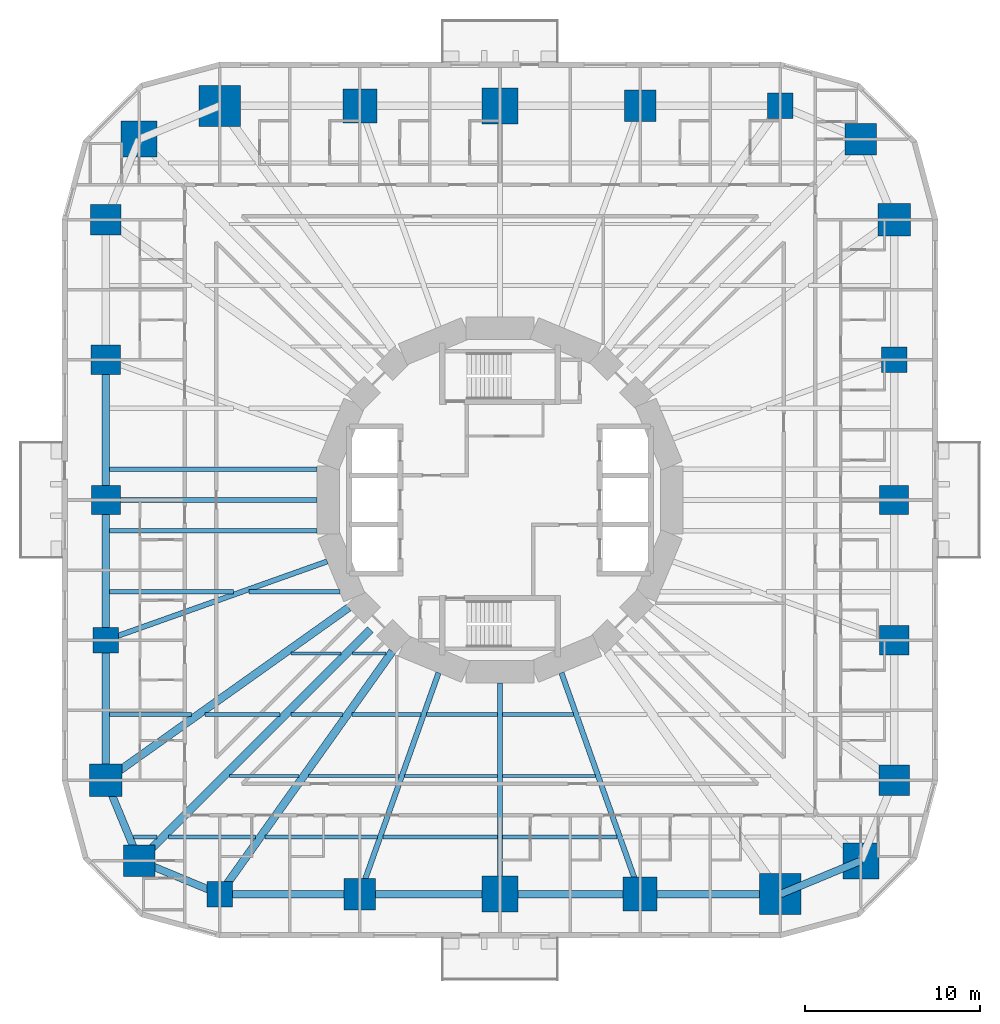
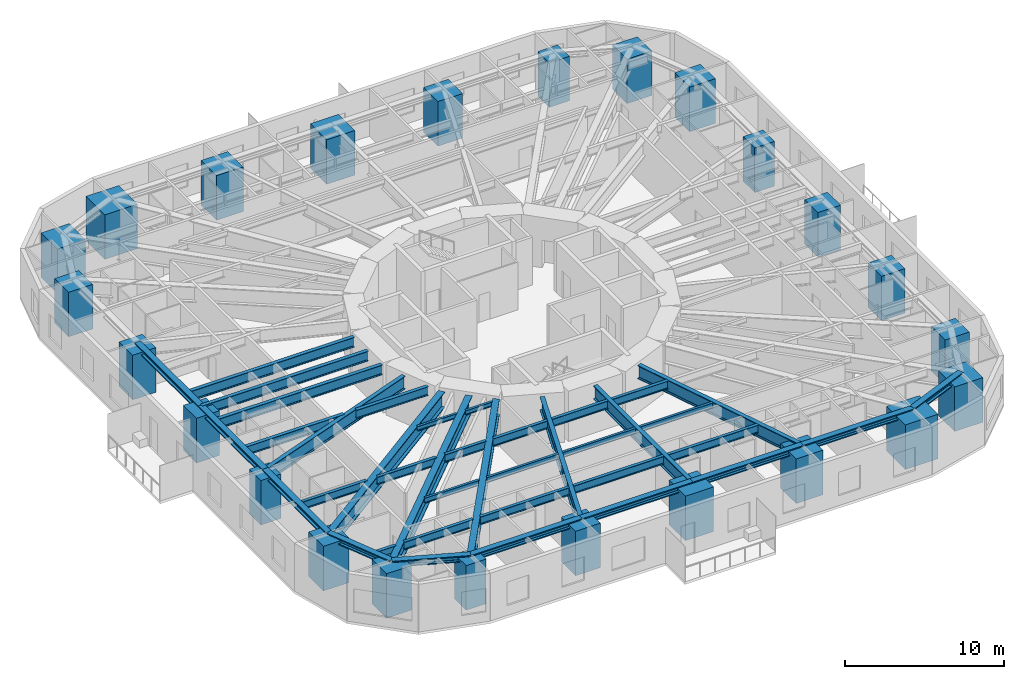
# One storey, part 1 of 14: 29 beams, 24 columns, 10 members.
"""IFC4 building model written with IfcOpenShell, lengths in metres."""

from ifc_helpers import new_model, si_unit, direction, frame, origin, origin_2d, place, context, subcontext, project, spatial, rectangle, i_section, extrude, material, material_profile, profile_set, type_object, element, save


model = new_model("IFC4")

# Units and contexts
model_context = context("Model", 3, precision=1e-05, world=origin(), true_north=direction((0.0, 1.0)))
body_context = subcontext(model_context, "Body", "Model", "MODEL_VIEW")
ifc_project = project(units=[si_unit("LENGTHUNIT", "METRE"), si_unit("AREAUNIT", "SQUARE_METRE"), si_unit("VOLUMEUNIT", "CUBIC_METRE"), si_unit("PLANEANGLEUNIT", "RADIAN"), si_unit("MASSUNIT", "GRAM", prefix="KILO")], contexts=[model_context])

# Site, building, storey
site_placement = place(None, origin())
site = spatial("IfcSite", under=ifc_project, at=site_placement, CompositionType="ELEMENT")
building_placement = place(site_placement, origin())
building = spatial("IfcBuilding", under=site, at=building_placement, Name="Nakasero Lantern House", CompositionType="ELEMENT")
storey_placement = place(building_placement, frame((0.0, 0.0, 50.64990234375)))
storey = spatial("IfcBuildingStorey", under=building, at=storey_placement, Name="L12", CompositionType="ELEMENT", Elevation=50.64990234375)

# Columns
ifc_material_1 = material(Name="Concrete C50/60", Category="concrete")
ifc_material_profile_1 = material_profile(ifc_material_1, rectangle(XDim=1.800048828125, YDim=1.800048828125, at=origin_2d()), Name="RC 1800x1800")
ifc_profile_set_1 = profile_set([ifc_material_profile_1], Name="Concrete C50/60")
column_type_1 = type_object("IfcColumnType", Name="Mega column RC 1800x1800 C50/60", PredefinedType="COLUMN", material=ifc_profile_set_1)
for number, where, z_axis, x_axis, name in (
    (1, (20.59619140625, 20.59619140625, 0.0), (0.0, 0.0, 1.0), (1.0, 0.0, 0.0), "Column B1-C06 L12"),
    (2, (-20.59619140625, -20.59619140625, 0.0), (0.0, 0.0, 1.0), (1.0, 0.0, 0.0), "Column B1-C18 L12"),
):
    element("IfcColumn", number, at=place(storey_placement, frame(where, z_axis=z_axis, x_axis=x_axis)), inside=storey, type_object=column_type_1, Name=name, PredefinedType="COLUMN", context=body_context, shape_type="SweptSolid", body=[
        extrude(rectangle(XDim=1.800048828125, YDim=1.800048828125, at=origin_2d()), origin(), (0.0, 0.0, 1.0), 3.412841796875),
    ])
ifc_material_2 = material(Name="Concrete C50/60", Category="concrete")
ifc_material_profile_2 = material_profile(ifc_material_2, rectangle(XDim=2.050048828125, YDim=2.050048828125, at=origin_2d()), Name="RC 2050x2050")
ifc_profile_set_2 = profile_set([ifc_material_profile_2], Name="Concrete C50/60")
column_type_2 = type_object("IfcColumnType", Name="Mega column RC 2050x2050 C50/60", PredefinedType="COLUMN", material=ifc_profile_set_2)
for number, where, z_axis, x_axis, name in (
    (3, (-20.59619140625, 20.59619140625, 0.0), (0.0, 0.0, 1.0), (1.0, 0.0, 0.0), "Column B1-C12 L12"),
    (4, (20.59619140625, -20.59619140625, 0.0), (0.0, 0.0, 1.0), (1.0, 0.0, 0.0), "Column B1-C24 L12"),
):
    element("IfcColumn", number, at=place(storey_placement, frame(where, z_axis=z_axis, x_axis=x_axis)), inside=storey, type_object=column_type_2, Name=name, PredefinedType="COLUMN", context=body_context, shape_type="SweptSolid", body=[
        extrude(rectangle(XDim=2.050048828125, YDim=2.050048828125, at=origin_2d()), origin(), (0.0, 0.0, 1.0), 3.412841796875),
    ])
ifc_material_3 = material(Name="Concrete C50/60", Category="concrete")
ifc_material_profile_3 = material_profile(ifc_material_3, rectangle(XDim=1.449951171875, YDim=1.449951171875, at=origin_2d()), Name="RC 1450x1450")
ifc_profile_set_3 = profile_set([ifc_material_profile_3], Name="Concrete C50/60")
column_type_3 = type_object("IfcColumnType", Name="Ring column RC 1450x1450 C50/60", PredefinedType="COLUMN", material=ifc_profile_set_3)
for number, where, z_axis, x_axis, name in (
    (5, (22.5, 8.0, 0.0), (0.0, 0.0, 1.0), (1.0, 0.0, 0.0), "Column B1-C04 L12"),
    (6, (16.0, 22.5, 0.0), (0.0, 0.0, 1.0), (1.0, 0.0, 0.0), "Column B1-C07 L12"),
    (7, (-22.5, -8.0, 0.0), (0.0, 0.0, 1.0), (1.0, 0.0, 0.0), "Column B1-C16 L12"),
    (8, (-16.0, -22.5, 0.0), (0.0, 0.0, 1.0), (1.0, 0.0, 0.0), "Column B1-C19 L12"),
):
    element("IfcColumn", number, at=place(storey_placement, frame(where, z_axis=z_axis, x_axis=x_axis)), inside=storey, type_object=column_type_3, Name=name, PredefinedType="COLUMN", context=body_context, shape_type="SweptSolid", body=[
        extrude(rectangle(XDim=1.449951171875, YDim=1.449951171875, at=origin_2d()), origin(), (0.0, 0.0, 1.0), 3.412841796875),
    ])
ifc_material_4 = material(Name="Concrete C50/60", Category="concrete")
ifc_material_profile_4 = material_profile(ifc_material_4, rectangle(XDim=1.64990234375, YDim=1.64990234375, at=origin_2d()), Name="RC 1650x1650")
ifc_profile_set_4 = profile_set([ifc_material_profile_4], Name="Concrete C50/60")
column_type_4 = type_object("IfcColumnType", Name="Ring column RC 1650x1650 C50/60", PredefinedType="COLUMN", material=ifc_profile_set_4)
for number, where, z_axis, x_axis, name in (
    (9, (22.5, 0.0, 0.0), (0.0, 0.0, 1.0), (1.0, 0.0, 0.0), "Column B1-C03 L12"),
    (10, (-22.5, 0.0, 0.0), (0.0, 0.0, 1.0), (1.0, 0.0, 0.0), "Column B1-C15 L12"),
):
    element("IfcColumn", number, at=place(storey_placement, frame(where, z_axis=z_axis, x_axis=x_axis)), inside=storey, type_object=column_type_4, Name=name, PredefinedType="COLUMN", context=body_context, shape_type="SweptSolid", body=[
        extrude(rectangle(XDim=1.64990234375, YDim=1.64990234375, at=origin_2d()), origin(), (0.0, 0.0, 1.0), 3.412841796875),
    ])
ifc_material_5 = material(Name="Concrete C50/60", Category="concrete")
ifc_material_profile_5 = material_profile(ifc_material_5, rectangle(XDim=1.699951171875, YDim=1.699951171875, at=origin_2d()), Name="RC 1700x1700")
ifc_profile_set_5 = profile_set([ifc_material_profile_5], Name="Concrete C50/60")
column_type_5 = type_object("IfcColumnType", Name="Ring column RC 1700x1700 C50/60", PredefinedType="COLUMN", material=ifc_profile_set_5)
for number, where, z_axis, x_axis, name in (
    (11, (22.5, -8.0, 0.0), (0.0, 0.0, 1.0), (1.0, 0.0, 0.0), "Column B1-C02 L12"),
    (12, (-22.5, 8.0, 0.0), (0.0, 0.0, 1.0), (1.0, 0.0, 0.0), "Column B1-C14 L12"),
):
    element("IfcColumn", number, at=place(storey_placement, frame(where, z_axis=z_axis, x_axis=x_axis)), inside=storey, type_object=column_type_5, Name=name, PredefinedType="COLUMN", context=body_context, shape_type="SweptSolid", body=[
        extrude(rectangle(XDim=1.699951171875, YDim=1.699951171875, at=origin_2d()), origin(), (0.0, 0.0, 1.0), 3.412841796875),
    ])
ifc_material_6 = material(Name="Concrete C50/60", Category="concrete")
ifc_material_profile_6 = material_profile(ifc_material_6, rectangle(XDim=1.75, YDim=1.75, at=origin_2d()), Name="RC 1750x1750")
ifc_profile_set_6 = profile_set([ifc_material_profile_6], Name="Concrete C50/60")
column_type_6 = type_object("IfcColumnType", Name="Ring column RC 1750x1750 C50/60", PredefinedType="COLUMN", material=ifc_profile_set_6)
for number, where, z_axis, x_axis, name in (
    (13, (22.5, -16.0, 0.0), (0.0, 0.0, 1.0), (1.0, 0.0, 0.0), "Column B1-C01 L12"),
    (14, (-22.5, 16.0, 0.0), (0.0, 0.0, 1.0), (1.0, 0.0, 0.0), "Column B1-C13 L12"),
):
    element("IfcColumn", number, at=place(storey_placement, frame(where, z_axis=z_axis, x_axis=x_axis)), inside=storey, type_object=column_type_6, Name=name, PredefinedType="COLUMN", context=body_context, shape_type="SweptSolid", body=[
        extrude(rectangle(XDim=1.75, YDim=1.75, at=origin_2d()), origin(), (0.0, 0.0, 1.0), 3.412841796875),
    ])
ifc_material_7 = material(Name="Concrete C50/60", Category="concrete")
ifc_material_profile_7 = material_profile(ifc_material_7, rectangle(XDim=1.800048828125, YDim=1.800048828125, at=origin_2d()), Name="RC 1800x1800")
ifc_profile_set_7 = profile_set([ifc_material_profile_7], Name="Concrete C50/60")
column_type_7 = type_object("IfcColumnType", Name="Ring column RC 1800x1800 C50/60", PredefinedType="COLUMN", material=ifc_profile_set_7)
for number, where, z_axis, x_axis, name in (
    (15, (8.0, 22.5, 0.0), (0.0, 0.0, 1.0), (1.0, 0.0, 0.0), "Column B1-C08 L12"),
    (16, (-8.0, -22.5, 0.0), (0.0, 0.0, 1.0), (1.0, 0.0, 0.0), "Column B1-C20 L12"),
):
    element("IfcColumn", number, at=place(storey_placement, frame(where, z_axis=z_axis, x_axis=x_axis)), inside=storey, type_object=column_type_7, Name=name, PredefinedType="COLUMN", context=body_context, shape_type="SweptSolid", body=[
        extrude(rectangle(XDim=1.800048828125, YDim=1.800048828125, at=origin_2d()), origin(), (0.0, 0.0, 1.0), 3.412841796875),
    ])
ifc_material_8 = material(Name="Concrete C50/60", Category="concrete")
ifc_material_profile_8 = material_profile(ifc_material_8, rectangle(XDim=1.85009765625, YDim=1.85009765625, at=origin_2d()), Name="RC 1850x1850")
ifc_profile_set_8 = profile_set([ifc_material_profile_8], Name="Concrete C50/60")
column_type_8 = type_object("IfcColumnType", Name="Ring column RC 1850x1850 C50/60", PredefinedType="COLUMN", material=ifc_profile_set_8)
for number, where, z_axis, x_axis, name in (
    (17, (22.5, 16.0, 0.0), (0.0, 0.0, 1.0), (1.0, 0.0, 0.0), "Column B1-C05 L12"),
    (18, (-22.5, -16.0, 0.0), (0.0, 0.0, 1.0), (1.0, 0.0, 0.0), "Column B1-C17 L12"),
):
    element("IfcColumn", number, at=place(storey_placement, frame(where, z_axis=z_axis, x_axis=x_axis)), inside=storey, type_object=column_type_8, Name=name, PredefinedType="COLUMN", context=body_context, shape_type="SweptSolid", body=[
        extrude(rectangle(XDim=1.85009765625, YDim=1.85009765625, at=origin_2d()), origin(), (0.0, 0.0, 1.0), 3.412841796875),
    ])
ifc_material_9 = material(Name="Concrete C50/60", Category="concrete")
ifc_material_profile_9 = material_profile(ifc_material_9, rectangle(XDim=1.949951171875, YDim=1.949951171875, at=origin_2d()), Name="RC 1950x1950")
ifc_profile_set_9 = profile_set([ifc_material_profile_9], Name="Concrete C50/60")
column_type_9 = type_object("IfcColumnType", Name="Ring column RC 1950x1950 C50/60", PredefinedType="COLUMN", material=ifc_profile_set_9)
for number, where, z_axis, x_axis, name in (
    (19, (-8.0, 22.5, 0.0), (0.0, 0.0, 1.0), (1.0, 0.0, 0.0), "Column B1-C10 L12"),
    (20, (8.0, -22.5, 0.0), (0.0, 0.0, 1.0), (1.0, 0.0, 0.0), "Column B1-C22 L12"),
):
    element("IfcColumn", number, at=place(storey_placement, frame(where, z_axis=z_axis, x_axis=x_axis)), inside=storey, type_object=column_type_9, Name=name, PredefinedType="COLUMN", context=body_context, shape_type="SweptSolid", body=[
        extrude(rectangle(XDim=1.949951171875, YDim=1.949951171875, at=origin_2d()), origin(), (0.0, 0.0, 1.0), 3.412841796875),
    ])
ifc_material_10 = material(Name="Concrete C50/60", Category="concrete")
ifc_material_profile_10 = material_profile(ifc_material_10, rectangle(XDim=2.050048828125, YDim=2.050048828125, at=origin_2d()), Name="RC 2050x2050")
ifc_profile_set_10 = profile_set([ifc_material_profile_10], Name="Concrete C50/60")
column_type_10 = type_object("IfcColumnType", Name="Ring column RC 2050x2050 C50/60", PredefinedType="COLUMN", material=ifc_profile_set_10)
for number, where, z_axis, x_axis, name in (
    (21, (0.0, 22.5, 0.0), (0.0, 0.0, 1.0), (1.0, 0.0, 0.0), "Column B1-C09 L12"),
    (22, (0.0, -22.5, 0.0), (0.0, 0.0, 1.0), (1.0, 0.0, 0.0), "Column B1-C21 L12"),
):
    element("IfcColumn", number, at=place(storey_placement, frame(where, z_axis=z_axis, x_axis=x_axis)), inside=storey, type_object=column_type_10, Name=name, PredefinedType="COLUMN", context=body_context, shape_type="SweptSolid", body=[
        extrude(rectangle(XDim=2.050048828125, YDim=2.050048828125, at=origin_2d()), origin(), (0.0, 0.0, 1.0), 3.412841796875),
    ])
ifc_material_11 = material(Name="Concrete C50/60", Category="concrete")
ifc_material_profile_11 = material_profile(ifc_material_11, rectangle(XDim=2.35009765625, YDim=2.35009765625, at=origin_2d()), Name="RC 2350x2350")
ifc_profile_set_11 = profile_set([ifc_material_profile_11], Name="Concrete C50/60")
column_type_11 = type_object("IfcColumnType", Name="Ring column RC 2350x2350 C50/60", PredefinedType="COLUMN", material=ifc_profile_set_11)
for number, where, z_axis, x_axis, name in (
    (23, (-16.0, 22.5, 0.0), (0.0, 0.0, 1.0), (1.0, 0.0, 0.0), "Column B1-C11 L12"),
    (24, (16.0, -22.5, 0.0), (0.0, 0.0, 1.0), (1.0, 0.0, 0.0), "Column B1-C23 L12"),
):
    element("IfcColumn", number, at=place(storey_placement, frame(where, z_axis=z_axis, x_axis=x_axis)), inside=storey, type_object=column_type_11, Name=name, PredefinedType="COLUMN", context=body_context, shape_type="SweptSolid", body=[
        extrude(rectangle(XDim=2.35009765625, YDim=2.35009765625, at=origin_2d()), origin(), (0.0, 0.0, 1.0), 3.412841796875),
    ])

# Members
ifc_material_12 = material(Name="Steel S355", Category="steel")
ifc_material_profile_12 = material_profile(ifc_material_12, i_section(OverallWidth=0.424072265625, OverallDepth=0.474609375, WebThickness=0.047607421875, FlangeThickness=0.076904296875, FilletRadius=0.01513671875, at=origin_2d()), Name="UC 356x406x634")
ifc_profile_set_12 = profile_set([ifc_material_profile_12], Name="Steel S355")
member_type = type_object("IfcMemberType", Name="Belt truss chord UC 356x406x634", PredefinedType="CHORD", material=ifc_profile_set_12)
for number, where, z_axis, x_axis, name in (
    (25, (-22.5, 8.0, 3.412841796875), (0.0, -1.0, 0.0), (1.0, 0.0, 0.0), "Belt truss bottom chord T1 B1-C14"),
    (26, (-22.5, 0.0, 3.412841796875), (0.0, -1.0, 0.0), (1.0, 0.0, 0.0), "Belt truss bottom chord T1 B1-C15"),
    (27, (-22.5, -8.0, 3.412841796875), (0.0, -1.0, 0.0), (1.0, 0.0, 0.0), "Belt truss bottom chord T1 B1-C16"),
):
    element("IfcMember", number, at=place(storey_placement, frame(where, z_axis=z_axis, x_axis=x_axis)), inside=storey, type_object=member_type, Name=name, PredefinedType="CHORD", context=body_context, shape_type="SweptSolid", body=[
        extrude(i_section(OverallWidth=0.424072265625, OverallDepth=0.474609375, WebThickness=0.047607421875, FlangeThickness=0.076904296875, FilletRadius=0.01513671875, at=origin_2d()), origin(), (0.0, 0.0, 1.0), 8.0),
    ])
for number, where, z_axis, x_axis, name in (
    (28, (-22.5, -16.0, 3.412841796875), (0.382684080569, -0.923879264016, 0.0), (0.923879264016, 0.382684080569, 0.0), "Belt truss bottom chord T1 B1-C17"),
    (29, (-20.59619140625, -20.59619140625, 3.412841796875), (0.923879264016, -0.382684080569, 0.0), (0.382684080569, 0.923879264016, 0.0), "Belt truss bottom chord T1 B1-C18"),
):
    element("IfcMember", number, at=place(storey_placement, frame(where, z_axis=z_axis, x_axis=x_axis)), inside=storey, type_object=member_type, Name=name, PredefinedType="CHORD", context=body_context, shape_type="SweptSolid", body=[
        extrude(i_section(OverallWidth=0.424072265625, OverallDepth=0.474609375, WebThickness=0.047607421875, FlangeThickness=0.076904296875, FilletRadius=0.01513671875, at=origin_2d()), origin(), (0.0, 0.0, 1.0), 4.974853515625),
    ])
for number, where, z_axis, x_axis, name in (
    (30, (-16.0, -22.5, 3.412841796875), (1.0, 0.0, 0.0), (0.0, 1.0, 0.0), "Belt truss bottom chord T1 B1-C19"),
    (31, (-8.0, -22.5, 3.412841796875), (1.0, 0.0, 0.0), (0.0, 1.0, 0.0), "Belt truss bottom chord T1 B1-C20"),
    (32, (0.0, -22.5, 3.412841796875), (1.0, 0.0, 0.0), (0.0, 1.0, 0.0), "Belt truss bottom chord T1 B1-C21"),
    (33, (8.0, -22.5, 3.412841796875), (1.0, 0.0, 0.0), (0.0, 1.0, 0.0), "Belt truss bottom chord T1 B1-C22"),
):
    element("IfcMember", number, at=place(storey_placement, frame(where, z_axis=z_axis, x_axis=x_axis)), inside=storey, type_object=member_type, Name=name, PredefinedType="CHORD", context=body_context, shape_type="SweptSolid", body=[
        extrude(i_section(OverallWidth=0.424072265625, OverallDepth=0.474609375, WebThickness=0.047607421875, FlangeThickness=0.076904296875, FilletRadius=0.01513671875, at=origin_2d()), origin(), (0.0, 0.0, 1.0), 8.0),
    ])
member_placement = place(storey_placement, frame((16.0, -22.5, 3.412841796875), z_axis=(0.923879264016, 0.382684080569, 0.0), x_axis=(-0.382684080569, 0.923879264016, 0.0)))
element("IfcMember", 34, at=member_placement, inside=storey, type_object=member_type, Name="Belt truss bottom chord T1 B1-C23", PredefinedType="CHORD", context=body_context, shape_type="SweptSolid", body=[
    extrude(i_section(OverallWidth=0.424072265625, OverallDepth=0.474609375, WebThickness=0.047607421875, FlangeThickness=0.076904296875, FilletRadius=0.01513671875, at=origin_2d()), origin(), (0.0, 0.0, 1.0), 4.974853515625),
])

# Beams
ifc_material_13 = material(Name="Steel S355", Category="steel")
ifc_material_profile_13 = material_profile(ifc_material_13, i_section(OverallWidth=0.17138671875, OverallDepth=0.35498046875, WebThickness=0.00732421875, FlangeThickness=0.011474609375, FilletRadius=0.01025390625, at=origin_2d()), Name="UB 356x171x51")
ifc_profile_set_13 = profile_set([ifc_material_profile_13], Name="Steel S355")
beam_type_1 = type_object("IfcBeamType", Name="Infill beam UB 356x171x51", PredefinedType="JOIST", material=ifc_profile_set_13)
beam_1_placement = place(storey_placement, frame((-11.91650390625, -8.75, 3.47265625), z_axis=(1.0, 0.0, 0.0), x_axis=(0.0, 1.0, 0.0)))
element("IfcBeam", 35, at=beam_1_placement, inside=storey, type_object=beam_type_1, Name="Infill beam L13 05.1", PredefinedType="JOIST", context=body_context, shape_type="SweptSolid", body=[
    extrude(i_section(OverallWidth=0.17138671875, OverallDepth=0.35498046875, WebThickness=0.00732421875, FlangeThickness=0.011474609375, FilletRadius=0.01025390625, at=origin_2d()), origin(), (0.0, 0.0, 1.0), 2.848388671875),
])
beam_2_placement = place(storey_placement, frame((-8.431884765625, -8.75, 3.47265625), z_axis=(1.0, 0.0, 0.0), x_axis=(0.0, 1.0, 0.0)))
element("IfcBeam", 36, at=beam_2_placement, inside=storey, type_object=beam_type_1, Name="Infill beam L13 05.2", PredefinedType="JOIST", context=body_context, shape_type="SweptSolid", body=[
    extrude(i_section(OverallWidth=0.17138671875, OverallDepth=0.35498046875, WebThickness=0.00732421875, FlangeThickness=0.011474609375, FilletRadius=0.01025390625, at=origin_2d()), origin(), (0.0, 0.0, 1.0), 1.93359375),
])
ifc_material_14 = material(Name="Steel S355", Category="steel")
ifc_material_profile_14 = material_profile(ifc_material_14, i_section(OverallWidth=0.177978515625, OverallDepth=0.406494140625, WebThickness=0.0078125, FlangeThickness=0.0126953125, FilletRadius=0.01025390625, at=origin_2d()), Name="UB 406x178x60")
ifc_profile_set_14 = profile_set([ifc_material_profile_14], Name="Steel S355")
beam_type_2 = type_object("IfcBeamType", Name="Infill beam UB 406x178x60", PredefinedType="JOIST", material=ifc_profile_set_14)
beam_3_placement = place(storey_placement, frame((-15.431884765625, -15.75, 3.44677734375), z_axis=(1.0, 0.0, 0.0), x_axis=(0.0, 1.0, 0.0)))
element("IfcBeam", 37, at=beam_3_placement, inside=storey, type_object=beam_type_2, Name="Infill beam L13 03.1", PredefinedType="JOIST", context=body_context, shape_type="SweptSolid", body=[
    extrude(i_section(OverallWidth=0.177978515625, OverallDepth=0.406494140625, WebThickness=0.0078125, FlangeThickness=0.0126953125, FilletRadius=0.01025390625, at=origin_2d()), origin(), (0.0, 0.0, 1.0), 3.955810546875),
])
beam_4_placement = place(storey_placement, frame((-10.923828125, -15.75, 3.44677734375), z_axis=(1.0, 0.0, 0.0), x_axis=(0.0, 1.0, 0.0)))
element("IfcBeam", 38, at=beam_4_placement, inside=storey, type_object=beam_type_2, Name="Infill beam L13 03.2", PredefinedType="JOIST", context=body_context, shape_type="SweptSolid", body=[
    extrude(i_section(OverallWidth=0.177978515625, OverallDepth=0.406494140625, WebThickness=0.0078125, FlangeThickness=0.0126953125, FilletRadius=0.01025390625, at=origin_2d()), origin(), (0.0, 0.0, 1.0), 5.161865234375),
])
for number, where, z_axis, x_axis, name in (
    (39, (-5.43798828125, -15.75, 3.44677734375), (1.0, 0.0, 0.0), (0.0, 1.0, 0.0), "Infill beam L13 03.3"),
    (40, (0.152587890625, -15.75, 3.44677734375), (1.0, 0.0, 0.0), (0.0, 1.0, 0.0), "Infill beam L13 03.4"),
):
    element("IfcBeam", number, at=place(storey_placement, frame(where, z_axis=z_axis, x_axis=x_axis)), inside=storey, type_object=beam_type_2, Name=name, PredefinedType="JOIST", context=body_context, shape_type="SweptSolid", body=[
        extrude(i_section(OverallWidth=0.177978515625, OverallDepth=0.406494140625, WebThickness=0.0078125, FlangeThickness=0.0126953125, FilletRadius=0.01025390625, at=origin_2d()), origin(), (0.0, 0.0, 1.0), 5.285400390625),
    ])
ifc_material_15 = material(Name="Steel S355", Category="steel")
ifc_material_profile_15 = material_profile(ifc_material_15, i_section(OverallWidth=0.22900390625, OverallDepth=0.6123046875, WebThickness=0.011962890625, FlangeThickness=0.01953125, FilletRadius=0.0126953125, at=origin_2d()), Name="UB 610x229x125")
ifc_profile_set_15 = profile_set([ifc_material_profile_15], Name="Steel S355")
beam_type_3 = type_object("IfcBeamType", Name="Infill beam UB 610x229x125", PredefinedType="JOIST", material=ifc_profile_set_15)
beam_5_placement = place(storey_placement, frame((-20.92431640625, -19.25, 3.2939453125), z_axis=(1.0, 0.0, 0.0), x_axis=(0.0, 1.0, 0.0)))
element("IfcBeam", 41, at=beam_5_placement, inside=storey, type_object=beam_type_3, Name="Infill beam L13 02.1", PredefinedType="JOIST", context=body_context, shape_type="SweptSolid", body=[
    extrude(i_section(OverallWidth=0.22900390625, OverallDepth=0.6123046875, WebThickness=0.011962890625, FlangeThickness=0.01953125, FilletRadius=0.0126953125, at=origin_2d()), origin(), (0.0, 0.0, 1.0), 1.356201171875),
])
beam_6_placement = place(storey_placement, frame((-18.931884765625, -19.25, 3.343994140625), z_axis=(1.0, 0.0, 0.0), x_axis=(0.0, 1.0, 0.0)))
element("IfcBeam", 42, at=beam_6_placement, inside=storey, type_object=beam_type_3, Name="Infill beam L13 02.2", PredefinedType="JOIST", context=body_context, shape_type="SweptSolid", body=[
    extrude(i_section(OverallWidth=0.22900390625, OverallDepth=0.6123046875, WebThickness=0.011962890625, FlangeThickness=0.01953125, FilletRadius=0.0126953125, at=origin_2d()), origin(), (0.0, 0.0, 1.0), 4.966796875),
])
beam_7_placement = place(storey_placement, frame((-13.412841796875, -19.25, 3.343994140625), z_axis=(1.0, 0.0, 0.0), x_axis=(0.0, 1.0, 0.0)))
element("IfcBeam", 43, at=beam_7_placement, inside=storey, type_object=beam_type_3, Name="Infill beam L13 02.3", PredefinedType="JOIST", context=body_context, shape_type="SweptSolid", body=[
    extrude(i_section(OverallWidth=0.22900390625, OverallDepth=0.6123046875, WebThickness=0.011962890625, FlangeThickness=0.01953125, FilletRadius=0.0126953125, at=origin_2d()), origin(), (0.0, 0.0, 1.0), 6.40625),
])
for number, where, z_axis, x_axis, name in (
    (44, (-6.682373046875, -19.25, 3.343994140625), (1.0, 0.0, 0.0), (0.0, 1.0, 0.0), "Infill beam L13 02.4"),
    (45, (0.152587890625, -19.25, 3.343994140625), (1.0, 0.0, 0.0), (0.0, 1.0, 0.0), "Infill beam L13 02.5"),
):
    element("IfcBeam", number, at=place(storey_placement, frame(where, z_axis=z_axis, x_axis=x_axis)), inside=storey, type_object=beam_type_3, Name=name, PredefinedType="JOIST", context=body_context, shape_type="SweptSolid", body=[
        extrude(i_section(OverallWidth=0.22900390625, OverallDepth=0.6123046875, WebThickness=0.011962890625, FlangeThickness=0.01953125, FilletRadius=0.0126953125, at=origin_2d()), origin(), (0.0, 0.0, 1.0), 6.52978515625),
    ])
beam_8_placement = place(storey_placement, frame((-22.2880859375, -12.25, 3.343994140625), z_axis=(1.0, 0.0, 0.0), x_axis=(0.0, 1.0, 0.0)))
element("IfcBeam", 46, at=beam_8_placement, inside=storey, type_object=beam_type_3, Name="Infill beam L13 04.1", PredefinedType="JOIST", context=body_context, shape_type="SweptSolid", body=[
    extrude(i_section(OverallWidth=0.22900390625, OverallDepth=0.6123046875, WebThickness=0.011962890625, FlangeThickness=0.01953125, FilletRadius=0.0126953125, at=origin_2d()), origin(), (0.0, 0.0, 1.0), 4.67333984375),
])
beam_9_placement = place(storey_placement, frame((-16.83837890625, -12.25, 3.343994140625), z_axis=(1.0, 0.0, 0.0), x_axis=(0.0, 1.0, 0.0)))
element("IfcBeam", 47, at=beam_9_placement, inside=storey, type_object=beam_type_3, Name="Infill beam L13 04.2", PredefinedType="JOIST", context=body_context, shape_type="SweptSolid", body=[
    extrude(i_section(OverallWidth=0.22900390625, OverallDepth=0.6123046875, WebThickness=0.011962890625, FlangeThickness=0.01953125, FilletRadius=0.0126953125, at=origin_2d()), origin(), (0.0, 0.0, 1.0), 4.270263671875),
])
beam_10_placement = place(storey_placement, frame((-11.931884765625, -12.25, 3.343994140625), z_axis=(1.0, 0.0, 0.0), x_axis=(0.0, 1.0, 0.0)))
element("IfcBeam", 48, at=beam_10_placement, inside=storey, type_object=beam_type_3, Name="Infill beam L13 04.3", PredefinedType="JOIST", context=body_context, shape_type="SweptSolid", body=[
    extrude(i_section(OverallWidth=0.22900390625, OverallDepth=0.6123046875, WebThickness=0.011962890625, FlangeThickness=0.01953125, FilletRadius=0.0126953125, at=origin_2d()), origin(), (0.0, 0.0, 1.0), 2.944580078125),
])
beam_11_placement = place(storey_placement, frame((-8.43505859375, -12.25, 3.343994140625), z_axis=(1.0, 0.0, 0.0), x_axis=(0.0, 1.0, 0.0)))
element("IfcBeam", 49, at=beam_11_placement, inside=storey, type_object=beam_type_3, Name="Infill beam L13 04.4", PredefinedType="JOIST", context=body_context, shape_type="SweptSolid", body=[
    extrude(i_section(OverallWidth=0.22900390625, OverallDepth=0.6123046875, WebThickness=0.011962890625, FlangeThickness=0.01953125, FilletRadius=0.0126953125, at=origin_2d()), origin(), (0.0, 0.0, 1.0), 3.91748046875),
])
for number, where, z_axis, x_axis, name in (
    (50, (-4.193603515625, -12.25, 3.343994140625), (1.0, 0.0, 0.0), (0.0, 1.0, 0.0), "Infill beam L13 04.5"),
    (51, (0.152587890625, -12.25, 3.343994140625), (1.0, 0.0, 0.0), (0.0, 1.0, 0.0), "Infill beam L13 04.6"),
):
    element("IfcBeam", number, at=place(storey_placement, frame(where, z_axis=z_axis, x_axis=x_axis)), inside=storey, type_object=beam_type_3, Name=name, PredefinedType="JOIST", context=body_context, shape_type="SweptSolid", body=[
        extrude(i_section(OverallWidth=0.22900390625, OverallDepth=0.6123046875, WebThickness=0.011962890625, FlangeThickness=0.01953125, FilletRadius=0.0126953125, at=origin_2d()), origin(), (0.0, 0.0, 1.0), 4.041015625),
    ])
ifc_material_16 = material(Name="Steel S355", Category="steel")
ifc_material_profile_16 = material_profile(ifc_material_16, i_section(OverallWidth=0.253662109375, OverallDepth=0.68359375, WebThickness=0.012451171875, FlangeThickness=0.01904296875, FilletRadius=0.01513671875, at=origin_2d()), Name="UB 686x254x140")
ifc_profile_set_16 = profile_set([ifc_material_profile_16], Name="Steel S355")
beam_type_4 = type_object("IfcBeamType", Name="Infill beam UB 686x254x140", PredefinedType="JOIST", material=ifc_profile_set_16)
beam_12_placement = place(storey_placement, frame((-22.2880859375, -5.25, 3.308349609375), z_axis=(1.0, 0.0, 0.0), x_axis=(0.0, 1.0, 0.0)))
element("IfcBeam", 52, at=beam_12_placement, inside=storey, type_object=beam_type_4, Name="Infill beam L13 06.1", PredefinedType="JOIST", context=body_context, shape_type="SweptSolid", body=[
    extrude(i_section(OverallWidth=0.253662109375, OverallDepth=0.68359375, WebThickness=0.012451171875, FlangeThickness=0.01904296875, FilletRadius=0.01513671875, at=origin_2d()), origin(), (0.0, 0.0, 1.0), 7.07470703125),
])
beam_13_placement = place(storey_placement, frame((-14.31787109375, -5.25, 3.308349609375), z_axis=(1.0, 0.0, 0.0), x_axis=(0.0, 1.0, 0.0)))
element("IfcBeam", 53, at=beam_13_placement, inside=storey, type_object=beam_type_4, Name="Infill beam L13 06.2", PredefinedType="JOIST", context=body_context, shape_type="SweptSolid", body=[
    extrude(i_section(OverallWidth=0.253662109375, OverallDepth=0.68359375, WebThickness=0.012451171875, FlangeThickness=0.01904296875, FilletRadius=0.01513671875, at=origin_2d()), origin(), (0.0, 0.0, 1.0), 5.173095703125),
])
ifc_material_17 = material(Name="Steel S355", Category="steel")
ifc_material_profile_17 = material_profile(ifc_material_17, i_section(OverallWidth=0.2666015625, OverallDepth=0.76220703125, WebThickness=0.014404296875, FlangeThickness=0.021484375, FilletRadius=0.0166015625, at=origin_2d()), Name="UB 762x267x173")
ifc_profile_set_17 = profile_set([ifc_material_profile_17], Name="Steel S355")
beam_type_5 = type_object("IfcBeamType", Name="Infill beam UB 762x267x173", PredefinedType="JOIST", material=ifc_profile_set_17)
for number, where, z_axis, x_axis, name in (
    (54, (-22.2880859375, -1.75, 3.26904296875), (1.0, 0.0, 0.0), (0.0, 1.0, 0.0), "Infill beam L13 07.1"),
    (55, (-22.2880859375, 1.75, 3.26904296875), (1.0, 0.0, 0.0), (0.0, 1.0, 0.0), "Infill beam L13 08.1"),
):
    element("IfcBeam", number, at=place(storey_placement, frame(where, z_axis=z_axis, x_axis=x_axis)), inside=storey, type_object=beam_type_5, Name=name, PredefinedType="JOIST", context=body_context, shape_type="SweptSolid", body=[
        extrude(i_section(OverallWidth=0.2666015625, OverallDepth=0.76220703125, WebThickness=0.014404296875, FlangeThickness=0.021484375, FilletRadius=0.0166015625, at=origin_2d()), origin(), (0.0, 0.0, 1.0), 11.830322265625),
    ])
ifc_material_18 = material(Name="Steel S355", Category="steel")
ifc_material_profile_18 = material_profile(ifc_material_18, i_section(OverallWidth=0.449951171875, OverallDepth=1.199951171875, WebThickness=0.02490234375, FlangeThickness=0.06005859375, at=origin_2d()), Name="PG 1200x450x636")
ifc_profile_set_18 = profile_set([ifc_material_profile_18], Name="Steel S355")
beam_type_6 = type_object("IfcBeamType", Name="Primary beam PG 1200x450x636, span over 15 m", PredefinedType="BEAM", material=ifc_profile_set_18)
beam_14_placement = place(storey_placement, frame((-22.5, -16.0, 3.0), z_axis=(0.814952159915, 0.579528236629, 0.0), x_axis=(-0.579528236629, 0.814952159915, 0.0)))
element("IfcBeam", 56, at=beam_14_placement, inside=storey, type_object=beam_type_6, Name="Primary beam L13 B1-C17", PredefinedType="BEAM", context=body_context, shape_type="SweptSolid", body=[
    extrude(i_section(OverallWidth=0.449951171875, OverallDepth=1.199951171875, WebThickness=0.02490234375, FlangeThickness=0.06005859375, at=origin_2d()), origin(), (0.0, 0.0, 1.0), 17.003173828125),
])
beam_15_placement = place(storey_placement, frame((-20.59619140625, -20.59619140625, 3.0), z_axis=(0.707106781187, 0.707106781187, 0.0), x_axis=(-0.707106781187, 0.707106781187, 0.0)))
element("IfcBeam", 57, at=beam_15_placement, inside=storey, type_object=beam_type_6, Name="Primary beam L13 B1-C18", PredefinedType="BEAM", context=body_context, shape_type="SweptSolid", body=[
    extrude(i_section(OverallWidth=0.449951171875, OverallDepth=1.199951171875, WebThickness=0.02490234375, FlangeThickness=0.06005859375, at=origin_2d()), origin(), (0.0, 0.0, 1.0), 18.669677734375),
])
beam_16_placement = place(storey_placement, frame((-16.0, -22.5, 3.050048828125), z_axis=(0.579528236629, 0.814952159915, 0.0), x_axis=(-0.814952159915, 0.579528236629, 0.0)))
element("IfcBeam", 58, at=beam_16_placement, inside=storey, type_object=beam_type_6, Name="Primary beam L13 B1-C19", PredefinedType="BEAM", context=body_context, shape_type="SweptSolid", body=[
    extrude(i_section(OverallWidth=0.449951171875, OverallDepth=1.199951171875, WebThickness=0.02490234375, FlangeThickness=0.06005859375, at=origin_2d()), origin(), (0.0, 0.0, 1.0), 17.003173828125),
])
ifc_material_19 = material(Name="Steel S355", Category="steel")
ifc_material_profile_19 = material_profile(ifc_material_19, i_section(OverallWidth=0.300048828125, OverallDepth=1.0, WebThickness=0.01904296875, FlangeThickness=0.035888671875, FilletRadius=0.030029296875, at=origin_2d()), Name="UB 1016x305x314")
ifc_profile_set_19 = profile_set([ifc_material_profile_19], Name="Steel S355")
beam_type_7 = type_object("IfcBeamType", Name="Primary beam UB 1016x305x314, span 12 to 15 m", PredefinedType="BEAM", material=ifc_profile_set_19)
beam_17_placement = place(storey_placement, frame((-22.5, -8.0, 3.150146484375), z_axis=(0.942214307118, 0.335010745293, 0.0), x_axis=(-0.335010745293, 0.942214307118, 0.0)))
element("IfcBeam", 59, at=beam_17_placement, inside=storey, type_object=beam_type_7, Name="Primary beam L13 B1-C16", PredefinedType="BEAM", context=body_context, shape_type="SweptSolid", body=[
    extrude(i_section(OverallWidth=0.300048828125, OverallDepth=1.0, WebThickness=0.01904296875, FlangeThickness=0.035888671875, FilletRadius=0.030029296875, at=origin_2d()), origin(), (0.0, 0.0, 1.0), 13.408447265625),
])
ifc_material_20 = material(Name="Steel S355", Category="steel")
ifc_material_profile_20 = material_profile(ifc_material_20, i_section(OverallWidth=0.305419921875, OverallDepth=1.026123046875, WebThickness=0.02685546875, FlangeThickness=0.049072265625, FilletRadius=0.030029296875, at=origin_2d()), Name="UB 1016x305x437")
ifc_profile_set_20 = profile_set([ifc_material_profile_20], Name="Steel S355")
beam_type_8 = type_object("IfcBeamType", Name="Primary beam UB 1016x305x437, span 12 to 15 m", PredefinedType="BEAM", material=ifc_profile_set_20)
beam_18_placement = place(storey_placement, frame((-8.0, -22.5, 3.136962890625), z_axis=(0.335010745293, 0.942214307118, 0.0), x_axis=(-0.942214307118, 0.335010745293, 0.0)))
element("IfcBeam", 60, at=beam_18_placement, inside=storey, type_object=beam_type_8, Name="Primary beam L13 B1-C20", PredefinedType="BEAM", context=body_context, shape_type="SweptSolid", body=[
    extrude(i_section(OverallWidth=0.305419921875, OverallDepth=1.026123046875, WebThickness=0.02685546875, FlangeThickness=0.049072265625, FilletRadius=0.030029296875, at=origin_2d()), origin(), (0.0, 0.0, 1.0), 13.408447265625),
])
beam_19_placement = place(storey_placement, frame((0.0, -22.5, 3.136962890625), z_axis=(0.0, 1.0, 0.0), x_axis=(-1.0, 0.0, 0.0)))
element("IfcBeam", 61, at=beam_19_placement, inside=storey, type_object=beam_type_8, Name="Primary beam L13 B1-C21", PredefinedType="BEAM", context=body_context, shape_type="SweptSolid", body=[
    extrude(i_section(OverallWidth=0.305419921875, OverallDepth=1.026123046875, WebThickness=0.02685546875, FlangeThickness=0.049072265625, FilletRadius=0.030029296875, at=origin_2d()), origin(), (0.0, 0.0, 1.0), 12.042236328125),
])
beam_20_placement = place(storey_placement, frame((8.0, -22.5, 3.136962890625), z_axis=(-0.335010745293, 0.942214307118, 0.0), x_axis=(-0.942214307118, -0.335010745293, 0.0)))
element("IfcBeam", 62, at=beam_20_placement, inside=storey, type_object=beam_type_8, Name="Primary beam L13 B1-C22", PredefinedType="BEAM", context=body_context, shape_type="SweptSolid", body=[
    extrude(i_section(OverallWidth=0.305419921875, OverallDepth=1.026123046875, WebThickness=0.02685546875, FlangeThickness=0.049072265625, FilletRadius=0.030029296875, at=origin_2d()), origin(), (0.0, 0.0, 1.0), 13.408447265625),
])
ifc_material_21 = material(Name="Steel S355", Category="steel")
ifc_material_profile_21 = material_profile(ifc_material_21, i_section(OverallWidth=0.2666015625, OverallDepth=0.76220703125, WebThickness=0.014404296875, FlangeThickness=0.021484375, FilletRadius=0.0166015625, at=origin_2d()), Name="UB 762x267x173")
ifc_profile_set_21 = profile_set([ifc_material_profile_21], Name="Steel S355")
beam_type_9 = type_object("IfcBeamType", Name="Primary beam UB 762x267x173, span 12 to 15 m", PredefinedType="BEAM", material=ifc_profile_set_21)
beam_21_placement = place(storey_placement, frame((-22.5, 0.0, 3.26904296875), z_axis=(1.0, 0.0, 0.0), x_axis=(0.0, 1.0, 0.0)))
element("IfcBeam", 63, at=beam_21_placement, inside=storey, type_object=beam_type_9, Name="Primary beam L13 B1-C15", PredefinedType="BEAM", context=body_context, shape_type="SweptSolid", body=[
    extrude(i_section(OverallWidth=0.2666015625, OverallDepth=0.76220703125, WebThickness=0.014404296875, FlangeThickness=0.021484375, FilletRadius=0.0166015625, at=origin_2d()), origin(), (0.0, 0.0, 1.0), 12.042236328125),
])

save(model, "model.ifc")
